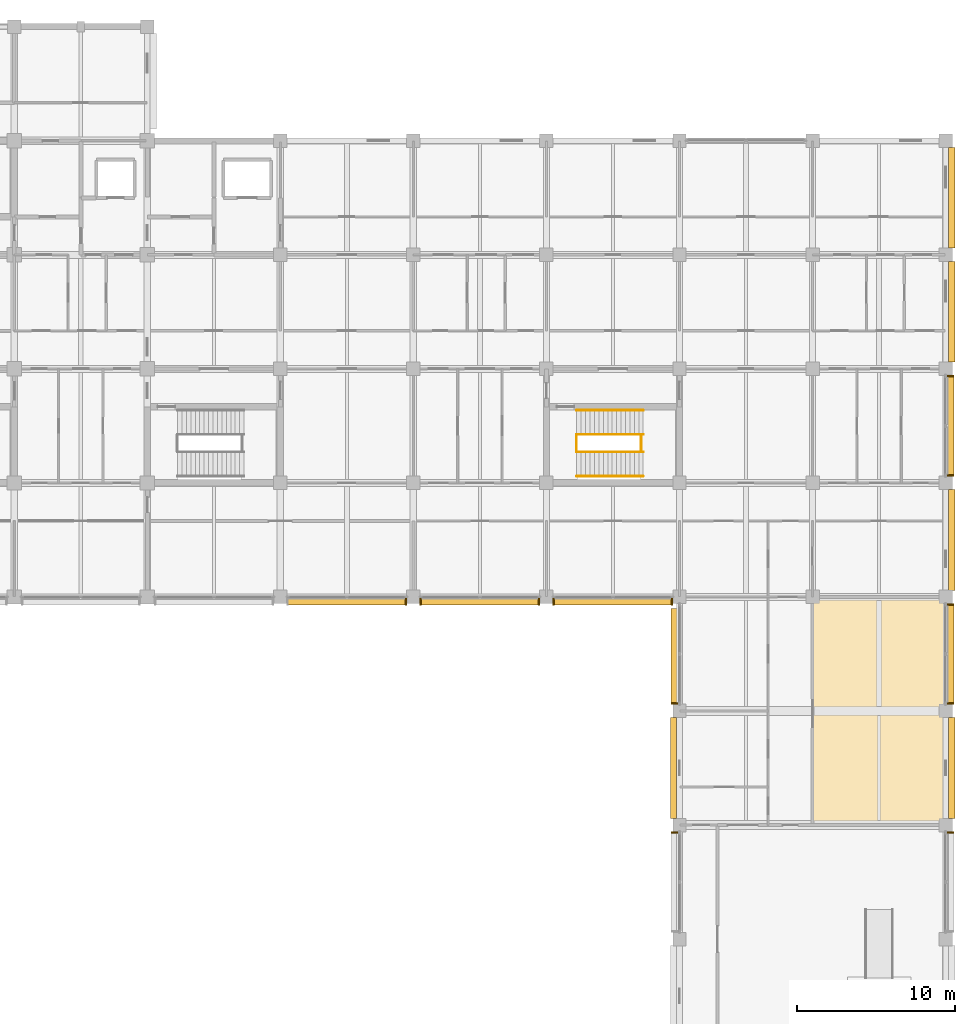
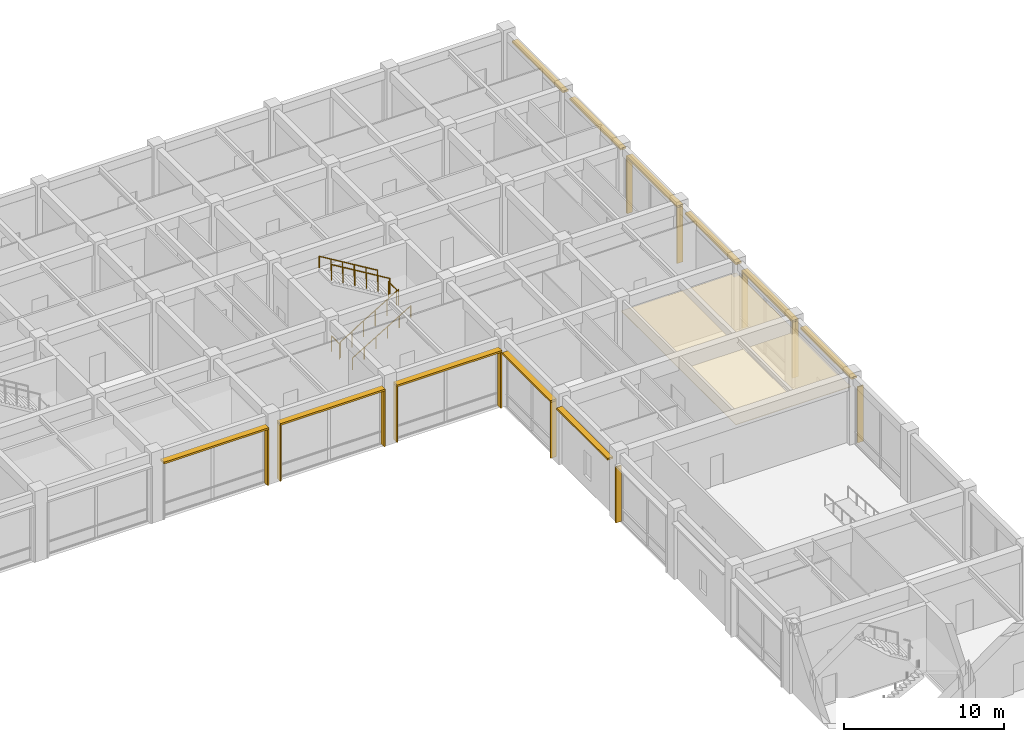
# One storey, part 51 of 51: 23 shading devices, 6 railings, 1 covering.
"""IFC4 building model written with IfcOpenShell, lengths in metres."""

from ifc_helpers import new_model, si_unit, direction, frame, origin, origin_2d, place, context, subcontext, project, spatial, polyline, rectangle, circle, outline, extrude, material, layer, layer_set, type_object, element, save


model = new_model("IFC4")

# Units and contexts
model_context = context("Model", 3, precision=1e-05, world=origin(), true_north=direction((0.0, 1.0)))
body_context = subcontext(model_context, "Body", "Model", "MODEL_VIEW")
ifc_project = project(units=[si_unit("LENGTHUNIT", "METRE"), si_unit("AREAUNIT", "SQUARE_METRE"), si_unit("VOLUMEUNIT", "CUBIC_METRE"), si_unit("PLANEANGLEUNIT", "RADIAN"), si_unit("MASSUNIT", "GRAM", prefix="KILO")], contexts=[model_context])

# Site, building, storey
site_placement = place(None, origin())
site = spatial("IfcSite", under=ifc_project, at=site_placement, CompositionType="ELEMENT")
building_placement = place(site_placement, origin())
building = spatial("IfcBuilding", under=site, at=building_placement, Name="Chengyuan Square Courthouse", CompositionType="ELEMENT")
storey_placement = place(building_placement, frame((0.0, 0.0, 10.800048828125)))
storey = spatial("IfcBuildingStorey", under=building, at=storey_placement, Name="L03", CompositionType="ELEMENT", Elevation=10.800048828125)

# Covering
ifc_material_1 = material(Name="Perforated Larch Glulam Acoustic Slat Ceiling", Category="wood")
ifc_layer = layer(ifc_material_1, 0.044921875)
ifc_layer_set = layer_set([ifc_layer], Name="Perforated Larch Glulam Acoustic Slat Ceiling")
covering_type = type_object("IfcCoveringType", Name="CLG-01", PredefinedType="CEILING", material=ifc_layer_set)
covering_placement = place(storey_placement, frame((0.0, 0.0, 4.02001953125)))
element("IfcCovering", 1, at=covering_placement, inside=storey, type_object=covering_type, Name="Acoustic Timber Slat Ceiling CLG-L03-CRT-E09", PredefinedType="CEILING", context=body_context, shape_type="SweptSolid", body=[
    extrude(outline(polyline([(159.64990234375, 64.85009765625), (167.949951171875, 64.85009765625), (167.949951171875, 79.14990234375), (159.64990234375, 79.14990234375), (159.64990234375, 64.85009765625)])), origin(), (0.0, 0.0, 1.0), 0.044921875),
])

# Railings
ifc_material_2 = material(Name="Tempered Glass and Timber Top-Rail Balustrade", Category="wood")
railing_type_1 = type_object("IfcRailingType", Name="RL-02", PredefinedType="BALUSTRADE", material=ifc_material_2)
for number, where, name in (
    (2, (144.68994140625, 88.39990234375, 0.0), "Stair Floor Slot Guard ST-10 L03"),
    (3, (148.7900390625, 88.39990234375, 2.699951171875), "Stair Landing Guard ST-10-L03"),
):
    element("IfcRailing", number, at=place(storey_placement, frame(where)), inside=storey, type_object=railing_type_1, Name=name, PredefinedType="BALUSTRADE", context=body_context, shape_type="SweptSolid", body=[
        extrude(circle(Radius=0.02392578125, at=origin_2d()), frame((0.0, 0.0, 1.17578125), z_axis=(0.0, 1.0, 0.0), x_axis=(-1.0, 0.0, 0.0)), (0.0, 0.0, 1.0), 1.0),
        extrude(circle(Radius=0.02099609375, at=origin_2d()), origin(), (0.0, 0.0, 1.0), 1.15185546875),
        extrude(circle(Radius=0.02099609375, at=origin_2d()), frame((0.0, 1.0, 0.0)), (0.0, 0.0, 1.0), 1.15185546875),
    ])
railing_1_placement = place(storey_placement, frame((144.7099609375, 88.35009765625, 0.168701171875)))
element("IfcRailing", 4, at=railing_1_placement, inside=storey, type_object=railing_type_1, Name="Stair Flight 1 Guard ST-10-L03", PredefinedType="BALUSTRADE", context=body_context, shape_type="SweptSolid", body=[
    extrude(circle(Radius=0.02392578125, at=origin_2d()), frame((0.0, 0.0, 1.17578125), z_axis=(0.856476492594, 0.0, 0.516186030065), x_axis=(0.0, 1.0, 0.0)), (0.0, 0.0, 1.0), 4.90380859375),
    extrude(circle(Radius=0.02099609375, at=origin_2d()), origin(), (0.0, 0.0, 1.0), 1.15185546875),
    extrude(circle(Radius=0.02099609375, at=origin_2d()), frame((0.840087890625, 0.0, 0.50634765625)), (0.0, 0.0, 1.0), 1.15185546875),
    extrude(circle(Radius=0.02099609375, at=origin_2d()), frame((1.679931640625, 0.0, 1.012451171875)), (0.0, 0.0, 1.0), 1.15185546875),
    extrude(circle(Radius=0.02099609375, at=origin_2d()), frame((2.52001953125, 0.0, 1.518798828125)), (0.0, 0.0, 1.0), 1.15185546875),
    extrude(circle(Radius=0.02099609375, at=origin_2d()), frame((3.35986328125, 0.0, 2.02490234375)), (0.0, 0.0, 1.0), 1.15185546875),
    extrude(circle(Radius=0.02099609375, at=origin_2d()), frame((4.199951171875, 0.0, 2.53125)), (0.0, 0.0, 1.0), 1.15185546875),
])
railing_2_placement = place(storey_placement, frame((148.909912109375, 89.449951171875, 2.86865234375)))
element("IfcRailing", 5, at=railing_2_placement, inside=storey, type_object=railing_type_1, Name="Stair Flight 2 Guard ST-10-L03", PredefinedType="BALUSTRADE", context=body_context, shape_type="SweptSolid", body=[
    extrude(circle(Radius=0.02392578125, at=origin_2d()), frame((0.0, 0.0, 1.17578125), z_axis=(-0.856476492594, 0.0, 0.516186030065), x_axis=(0.0, -1.0, 0.0)), (0.0, 0.0, 1.0), 4.90380859375),
    extrude(circle(Radius=0.02099609375, at=origin_2d()), origin(), (0.0, 0.0, 1.0), 1.15185546875),
    extrude(circle(Radius=0.02099609375, at=origin_2d()), frame((-0.840087890625, 0.0, 0.50634765625)), (0.0, 0.0, 1.0), 1.15185546875),
    extrude(circle(Radius=0.02099609375, at=origin_2d()), frame((-1.679931640625, 0.0, 1.012451171875)), (0.0, 0.0, 1.0), 1.15185546875),
    extrude(circle(Radius=0.02099609375, at=origin_2d()), frame((-2.52001953125, 0.0, 1.518798828125)), (0.0, 0.0, 1.0), 1.15185546875),
    extrude(circle(Radius=0.02099609375, at=origin_2d()), frame((-3.35986328125, 0.0, 2.02490234375)), (0.0, 0.0, 1.0), 1.15185546875),
    extrude(circle(Radius=0.02099609375, at=origin_2d()), frame((-4.199951171875, 0.0, 2.53125)), (0.0, 0.0, 1.0), 1.15185546875),
])
ifc_material_3 = material(Name="Stainless Steel S30408 Stair Handrail", Category="steel")
railing_type_2 = type_object("IfcRailingType", Name="RL-04", PredefinedType="HANDRAIL", material=ifc_material_3)
railing_3_placement = place(storey_placement, frame((144.7099609375, 86.820068359375, 0.168701171875)))
element("IfcRailing", 6, at=railing_3_placement, inside=storey, type_object=railing_type_2, Name="Stair Flight 1 Handrail ST-10-L03", PredefinedType="HANDRAIL", context=body_context, shape_type="SweptSolid", body=[
    extrude(circle(Radius=0.02392578125, at=origin_2d()), frame((0.0, 0.0, 0.8759765625), z_axis=(0.856476492594, 0.0, 0.516186030065), x_axis=(0.0, 1.0, 0.0)), (0.0, 0.0, 1.0), 4.90380859375),
    extrude(circle(Radius=0.02099609375, at=origin_2d()), origin(), (0.0, 0.0, 1.0), 0.851806640625),
    extrude(circle(Radius=0.02099609375, at=origin_2d()), frame((0.840087890625, 0.0, 0.50634765625)), (0.0, 0.0, 1.0), 0.851806640625),
    extrude(circle(Radius=0.02099609375, at=origin_2d()), frame((1.679931640625, 0.0, 1.012451171875)), (0.0, 0.0, 1.0), 0.851806640625),
    extrude(circle(Radius=0.02099609375, at=origin_2d()), frame((2.52001953125, 0.0, 1.518798828125)), (0.0, 0.0, 1.0), 0.851806640625),
    extrude(circle(Radius=0.02099609375, at=origin_2d()), frame((3.35986328125, 0.0, 2.02490234375)), (0.0, 0.0, 1.0), 0.851806640625),
    extrude(circle(Radius=0.02099609375, at=origin_2d()), frame((4.199951171875, 0.0, 2.53125)), (0.0, 0.0, 1.0), 0.851806640625),
])
railing_4_placement = place(storey_placement, frame((148.909912109375, 90.97998046875, 2.86865234375)))
element("IfcRailing", 7, at=railing_4_placement, inside=storey, type_object=railing_type_2, Name="Stair Flight 2 Handrail ST-10-L03", PredefinedType="HANDRAIL", context=body_context, shape_type="SweptSolid", body=[
    extrude(circle(Radius=0.02392578125, at=origin_2d()), frame((0.0, 0.0, 0.8759765625), z_axis=(-0.856476492594, 0.0, 0.516186030065), x_axis=(0.0, -1.0, 0.0)), (0.0, 0.0, 1.0), 4.90380859375),
    extrude(circle(Radius=0.02099609375, at=origin_2d()), origin(), (0.0, 0.0, 1.0), 0.851806640625),
    extrude(circle(Radius=0.02099609375, at=origin_2d()), frame((-0.840087890625, 0.0, 0.50634765625)), (0.0, 0.0, 1.0), 0.851806640625),
    extrude(circle(Radius=0.02099609375, at=origin_2d()), frame((-1.679931640625, 0.0, 1.012451171875)), (0.0, 0.0, 1.0), 0.851806640625),
    extrude(circle(Radius=0.02099609375, at=origin_2d()), frame((-2.52001953125, 0.0, 1.518798828125)), (0.0, 0.0, 1.0), 0.851806640625),
    extrude(circle(Radius=0.02099609375, at=origin_2d()), frame((-3.35986328125, 0.0, 2.02490234375)), (0.0, 0.0, 1.0), 0.851806640625),
    extrude(circle(Radius=0.02099609375, at=origin_2d()), frame((-4.199951171875, 0.0, 2.53125)), (0.0, 0.0, 1.0), 0.851806640625),
])

# Shading devices
ifc_material_4 = material(Name="Glulam TCt28 Solar Shading Fin", Category="wood")
shading_device_type_1 = type_object("IfcShadingDeviceType", Name="SHD-01", PredefinedType="JALOUSIE", material=ifc_material_4)
for number, where, z_axis, x_axis, name in (
    (8, (133.93994140625, 78.89794921875, 0.0400390625), (0.0, 0.0, 1.0), (0.0, 1.0, 0.0), "Glulam Solar Fin SHD-L03-0371"),
    (9, (134.860107421875, 78.89794921875, 0.0400390625), (0.0, 0.0, 1.0), (0.0, 1.0, 0.0), "Glulam Solar Fin SHD-L03-0373"),
    (10, (142.340087890625, 78.89794921875, 0.0400390625), (0.0, 0.0, 1.0), (0.0, 1.0, 0.0), "Glulam Solar Fin SHD-L03-0374"),
    (11, (143.260009765625, 78.89794921875, 0.0400390625), (0.0, 0.0, 1.0), (0.0, 1.0, 0.0), "Glulam Solar Fin SHD-L03-0376"),
    (12, (150.739990234375, 78.89794921875, 0.0400390625), (0.0, 0.0, 1.0), (0.0, 1.0, 0.0), "Glulam Solar Fin SHD-L03-0377"),
    (13, (150.887939453125, 64.3349609375, 0.0400390625), (0.0, 0.0, 1.0), (1.0, 0.0, 0.0), "Glulam Solar Fin SHD-L03-0384"),
    (14, (150.887939453125, 72.465087890625, 0.0400390625), (0.0, 0.0, 1.0), (1.0, 0.0, 0.0), "Glulam Solar Fin SHD-L03-0387"),
    (15, (168.31201171875, 64.3349609375, 0.0400390625), (0.0, 0.0, 1.0), (1.0, 0.0, 0.0), "Glulam Solar Fin SHD-L03-0395"),
    (16, (168.31201171875, 72.465087890625, 0.0400390625), (0.0, 0.0, 1.0), (1.0, 0.0, 0.0), "Glulam Solar Fin SHD-L03-0398"),
    (17, (168.31201171875, 78.735107421875, 0.0400390625), (0.0, 0.0, 1.0), (1.0, 0.0, 0.0), "Glulam Solar Fin SHD-L03-0399"),
    (18, (168.31201171875, 86.864990234375, 0.0400390625), (0.0, 0.0, 1.0), (1.0, 0.0, 0.0), "Glulam Solar Fin SHD-L03-0402"),
    (19, (168.31201171875, 93.135009765625, 0.0400390625), (0.0, 0.0, 1.0), (1.0, 0.0, 0.0), "Glulam Solar Fin SHD-L03-0403"),
):
    element("IfcShadingDevice", number, at=place(storey_placement, frame(where, z_axis=z_axis, x_axis=x_axis)), inside=storey, type_object=shading_device_type_1, Name=name, PredefinedType="JALOUSIE", context=body_context, shape_type="SweptSolid", body=[
        extrude(rectangle(XDim=0.419921875, YDim=0.094970703125, at=origin_2d()), origin(), (0.0, 0.0, 1.0), 4.260009765625),
    ])
ifc_material_5 = material(Name="Glulam TCt28 Sunshade Louvre", Category="wood")
shading_device_type_2 = type_object("IfcShadingDeviceType", Name="SHD-02", PredefinedType="AWNING", material=ifc_material_5)
for number, where, z_axis, x_axis, name in (
    (20, (130.199951171875, 78.89794921875, 4.2998046875), (0.0, 0.0, 1.0), (1.0, 0.0, 0.0), "Glulam Sunshade Louvre SHD-L03-0372"),
    (21, (138.60009765625, 78.89794921875, 4.2998046875), (0.0, 0.0, 1.0), (1.0, 0.0, 0.0), "Glulam Sunshade Louvre SHD-L03-0375"),
    (22, (147.0, 78.89794921875, 4.2998046875), (0.0, 0.0, 1.0), (1.0, 0.0, 0.0), "Glulam Sunshade Louvre SHD-L03-0378"),
):
    element("IfcShadingDevice", number, at=place(storey_placement, frame(where, z_axis=z_axis, x_axis=x_axis)), inside=storey, type_object=shading_device_type_2, Name=name, PredefinedType="AWNING", context=body_context, shape_type="SweptSolid", body=[
        extrude(rectangle(XDim=7.550048828125, YDim=0.43994140625, at=origin_2d()), origin(), (0.0, 0.0, 1.0), 0.139892578125),
    ])
shading_device_placement = place(storey_placement, frame((150.887939453125, 75.449951171875, 4.2998046875), z_axis=(0.0, 0.0, 1.0), x_axis=(0.0, 1.0, 0.0)))
element("IfcShadingDevice", 23, at=shading_device_placement, inside=storey, type_object=shading_device_type_2, Name="Glulam Sunshade Louvre SHD-L03-0388", PredefinedType="AWNING", context=body_context, shape_type="SweptSolid", body=[
    extrude(rectangle(XDim=6.050048828125, YDim=0.43994140625, at=origin_2d()), origin(), (0.0, 0.0, 1.0), 0.139892578125),
])
for number, where, z_axis, x_axis, name in (
    (24, (168.31201171875, 75.60009765625, 4.2998046875), (0.0, 0.0, 1.0), (0.0, 1.0, 0.0), "Glulam Sunshade Louvre SHD-L03-0400"),
    (25, (168.31201171875, 90.0, 4.2998046875), (0.0, 0.0, 1.0), (0.0, 1.0, 0.0), "Glulam Sunshade Louvre SHD-L03-0404"),
):
    element("IfcShadingDevice", number, at=place(storey_placement, frame(where, z_axis=z_axis, x_axis=x_axis)), inside=storey, type_object=shading_device_type_2, Name=name, PredefinedType="AWNING", context=body_context, shape_type="SweptSolid", body=[
        extrude(rectangle(XDim=6.35009765625, YDim=0.43994140625, at=origin_2d()), origin(), (0.0, 0.0, 1.0), 0.139892578125),
    ])
ifc_material_6 = material(Name="Glulam TCt28 Facade Sunshade", Category="wood")
shading_device_type_3 = type_object("IfcShadingDeviceType", Name="SHD-03", PredefinedType="AWNING", material=ifc_material_6)
for number, where, z_axis, x_axis, name in (
    (26, (150.818115234375, 68.39990234375, 4.27978515625), (0.0, 0.0, 1.0), (0.0, 1.0, 0.0), "Glulam Facade Sunshade SHD-L03-0386"),
    (27, (168.382080078125, 68.39990234375, 4.27978515625), (0.0, 0.0, 1.0), (0.0, 1.0, 0.0), "Glulam Facade Sunshade SHD-L03-0397"),
    (28, (168.382080078125, 82.800048828125, 4.27978515625), (0.0, 0.0, 1.0), (0.0, 1.0, 0.0), "Glulam Facade Sunshade SHD-L03-0401"),
    (29, (168.382080078125, 97.199951171875, 4.27978515625), (0.0, 0.0, 1.0), (0.0, 1.0, 0.0), "Glulam Facade Sunshade SHD-L03-0405"),
    (30, (168.382080078125, 104.39990234375, 4.27978515625), (0.0, 0.0, 1.0), (0.0, 1.0, 0.0), "Glulam Facade Sunshade SHD-L03-0406"),
):
    element("IfcShadingDevice", number, at=place(storey_placement, frame(where, z_axis=z_axis, x_axis=x_axis)), inside=storey, type_object=shading_device_type_3, Name=name, PredefinedType="AWNING", context=body_context, shape_type="SweptSolid", body=[
        extrude(rectangle(XDim=6.360107421875, YDim=0.39990234375, at=origin_2d()), origin(), (0.0, 0.0, 1.0), 0.139892578125),
    ])

save(model, "model.ifc")
